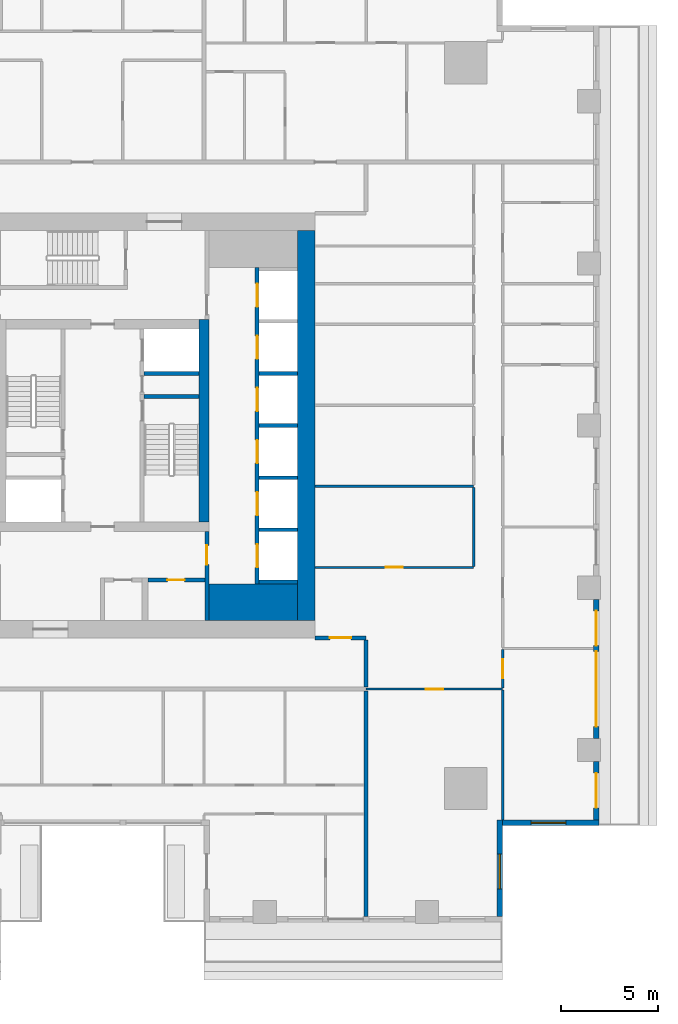
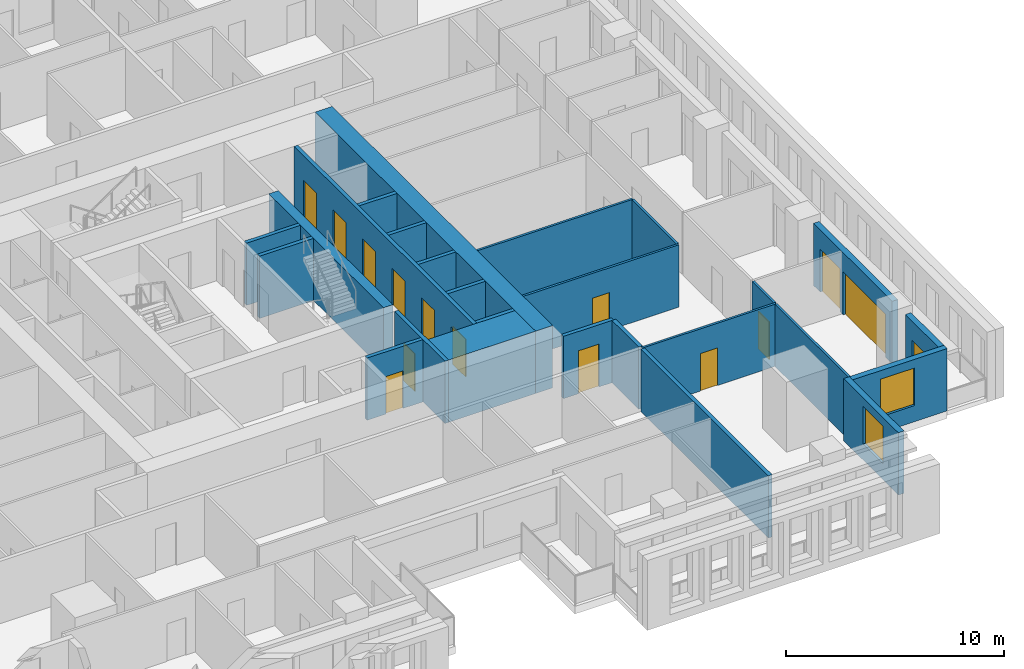
# One storey, part 5 of 15: 26 walls, 15 doors, 2 windows, 17 openings.
"""IFC4 building model written with IfcOpenShell, lengths in metres."""

from ifc_helpers import new_model, si_unit, direction, frame, frame_2d, origin, place, context, subcontext, project, spatial, rectangle, extrude, material, layer, layer_set, type_object, element, fill, save


model = new_model("IFC4")

# Units and contexts
model_context = context("Model", 3, precision=1e-05, world=origin(), true_north=direction((0.0, 1.0)))
body_context = subcontext(model_context, "Body", "Model", "MODEL_VIEW")
ifc_project = project(units=[si_unit("LENGTHUNIT", "METRE"), si_unit("AREAUNIT", "SQUARE_METRE"), si_unit("VOLUMEUNIT", "CUBIC_METRE"), si_unit("PLANEANGLEUNIT", "RADIAN"), si_unit("MASSUNIT", "GRAM", prefix="KILO")], contexts=[model_context])

# Site, building, storey
site_placement = place(None, origin())
site = spatial("IfcSite", under=ifc_project, at=site_placement, CompositionType="ELEMENT")
building_placement = place(site_placement, origin())
building = spatial("IfcBuilding", under=site, at=building_placement, Name="Khepri Terraces", CompositionType="ELEMENT")
storey_placement = place(building_placement, frame((0.0, 0.0, 248.39990234375)))
storey = spatial("IfcBuildingStorey", under=building, at=storey_placement, Name="L59", CompositionType="ELEMENT", Elevation=248.39990234375)

# Walls
ifc_material_1 = material(Name="Concrete C40/50", Category="concrete")
ifc_layer_1 = layer(ifc_material_1, 1.89990234375, Name="Concrete C40/50", Category="concrete")
ifc_layer_set_1 = layer_set([ifc_layer_1], Name="Concrete C40/50")
wall_type_1 = type_object("IfcWallType", Name="Core wall 1900 C40/50", PredefinedType="SHEAR", material=ifc_layer_set_1)
wall_1_placement = place(storey_placement, frame((5.5, -9.14990234375, 0.0), z_axis=(0.0, 0.0, 1.0), x_axis=(1.0, 0.0, 0.0)))
element("IfcWall", 1, at=wall_1_placement, inside=storey, type_object=wall_type_1, Name="Core wall PR02 L59", PredefinedType="SHEAR", context=body_context, shape_type="SweptSolid", body=[
    extrude(rectangle(XDim=4.60009765625, YDim=1.89990234375, at=frame_2d((2.300048828125, 0.0))), origin(), (0.0, 0.0, 1.0), 3.47998046875),
])
ifc_layer_2 = layer(ifc_material_1, 0.199951171875, Name="Concrete C40/50", Category="concrete")
ifc_layer_set_2 = layer_set([ifc_layer_2], Name="Concrete C40/50")
wall_type_2 = type_object("IfcWallType", Name="Core wall 200 C40/50", PredefinedType="SHEAR", material=ifc_layer_set_2)
wall_2_placement = place(storey_placement, frame((2.14990234375, 1.5, 0.0), z_axis=(0.0, 0.0, 1.0), x_axis=(1.0, 0.0, 0.0)))
element("IfcWall", 2, at=wall_2_placement, inside=storey, type_object=wall_type_2, Name="Core wall ST04 L59", PredefinedType="SHEAR", context=body_context, shape_type="SweptSolid", body=[
    extrude(rectangle(XDim=2.85009765625, YDim=0.199951171875, at=frame_2d((1.425048828125, 0.0))), origin(), (0.0, 0.0, 1.0), 3.47998046875),
])

# Wall, openings, doors
wall_3_placement = place(storey_placement, frame((8.0, -8.199951171875, 0.0), z_axis=(0.0, 0.0, 1.0), x_axis=(0.0, 1.0, 0.0)))
wall_3 = element("IfcWall", 3, at=wall_3_placement, inside=storey, type_object=wall_type_2, Name="Core wall SH02 L59", PredefinedType="SHEAR", context=body_context, shape_type="SweptSolid", body=[
    extrude(rectangle(XDim=16.39990234375, YDim=0.199951171875, at=frame_2d((8.199951171875, 0.0))), origin(), (0.0, 0.0, 1.0), 3.47998046875),
])
opening_1_placement = place(wall_3_placement, frame((0.85009765625, 0.0, 0.0)))
opening_1 = element("IfcOpeningElement", 4, at=opening_1_placement, cuts=wall_3, Name="Opening L59-C01", PredefinedType="OPENING", context=body_context, shape_type="SweptSolid", body=[
    extrude(rectangle(XDim=1.199951171875, YDim=2.10009765625, at=frame_2d((0.60009765625, 1.050048828125))), frame((0.0, 0.10986328125, 0.0), z_axis=(0.0, -1.0, 0.0), x_axis=(1.0, 0.0, 0.0)), (0.0, 0.0, 1.0), 0.219970703125),
])
opening_2_placement = place(wall_3_placement, frame((3.550048828125, 0.0, 0.0)))
opening_2 = element("IfcOpeningElement", 5, at=opening_2_placement, cuts=wall_3, Name="Opening L59-C02", PredefinedType="OPENING", context=body_context, shape_type="SweptSolid", body=[
    extrude(rectangle(XDim=1.199951171875, YDim=2.10009765625, at=frame_2d((0.60009765625, 1.050048828125))), frame((0.0, 0.10986328125, 0.0), z_axis=(0.0, -1.0, 0.0), x_axis=(1.0, 0.0, 0.0)), (0.0, 0.0, 1.0), 0.219970703125),
])
opening_3_placement = place(wall_3_placement, frame((6.25, 0.0, 0.0)))
opening_3 = element("IfcOpeningElement", 6, at=opening_3_placement, cuts=wall_3, Name="Opening L59-C03", PredefinedType="OPENING", context=body_context, shape_type="SweptSolid", body=[
    extrude(rectangle(XDim=1.199951171875, YDim=2.10009765625, at=frame_2d((0.60009765625, 1.050048828125))), frame((0.0, 0.10986328125, 0.0), z_axis=(0.0, -1.0, 0.0), x_axis=(1.0, 0.0, 0.0)), (0.0, 0.0, 1.0), 0.219970703125),
])
opening_4_placement = place(wall_3_placement, frame((8.949951171875, 0.0, 0.0)))
opening_4 = element("IfcOpeningElement", 7, at=opening_4_placement, cuts=wall_3, Name="Opening L59-C04", PredefinedType="OPENING", context=body_context, shape_type="SweptSolid", body=[
    extrude(rectangle(XDim=1.199951171875, YDim=2.10009765625, at=frame_2d((0.60009765625, 1.050048828125))), frame((0.0, 0.10986328125, 0.0), z_axis=(0.0, -1.0, 0.0), x_axis=(1.0, 0.0, 0.0)), (0.0, 0.0, 1.0), 0.219970703125),
])
opening_5_placement = place(wall_3_placement, frame((11.64990234375, 0.0, 0.0)))
opening_5 = element("IfcOpeningElement", 8, at=opening_5_placement, cuts=wall_3, Name="Opening L59-C05", PredefinedType="OPENING", context=body_context, shape_type="SweptSolid", body=[
    extrude(rectangle(XDim=1.199951171875, YDim=2.10009765625, at=frame_2d((0.60009765625, 1.050048828125))), frame((0.0, 0.10986328125, 0.0), z_axis=(0.0, -1.0, 0.0), x_axis=(1.0, 0.0, 0.0)), (0.0, 0.0, 1.0), 0.219970703125),
])
opening_6_placement = place(wall_3_placement, frame((14.35009765625, 0.0, 0.0)))
opening_6 = element("IfcOpeningElement", 9, at=opening_6_placement, cuts=wall_3, Name="Opening L59-C06", PredefinedType="OPENING", context=body_context, shape_type="SweptSolid", body=[
    extrude(rectangle(XDim=1.199951171875, YDim=2.10009765625, at=frame_2d((0.60009765625, 1.050048828125))), frame((0.0, 0.10986328125, 0.0), z_axis=(0.0, -1.0, 0.0), x_axis=(1.0, 0.0, 0.0)), (0.0, 0.0, 1.0), 0.219970703125),
])
ifc_material_2 = material(Name="Stainless steel 304", Category="steel")
door_type_1 = type_object("IfcDoorType", Name="DR-CORE-LANDING-1200", OperationType="NOTDEFINED", PredefinedType="DOOR", material=ifc_material_2)
door_1_placement = place(opening_1_placement, origin())
door_1 = element("IfcDoor", 10, at=door_1_placement, inside=storey, type_object=door_type_1, Name="Lift landing door L59-C01", OperationType="SLIDING_TO_LEFT", OverallHeight=2.10009765625, OverallWidth=1.199951171875, PredefinedType="DOOR", context=body_context, shape_type="SweptSolid", body=[
    extrude(rectangle(XDim=1.199951171875, YDim=2.10009765625, at=frame_2d((0.60009765625, 1.050048828125))), frame((0.0, 0.02490234375, 0.0), z_axis=(0.0, -1.0, 0.0), x_axis=(1.0, 0.0, 0.0)), (0.0, 0.0, 1.0), 0.050048828125),
])
fill(opening_1, door_1)
door_2_placement = place(opening_2_placement, origin())
door_2 = element("IfcDoor", 11, at=door_2_placement, inside=storey, type_object=door_type_1, Name="Lift landing door L59-C02", OperationType="SLIDING_TO_LEFT", OverallHeight=2.10009765625, OverallWidth=1.199951171875, PredefinedType="DOOR", context=body_context, shape_type="SweptSolid", body=[
    extrude(rectangle(XDim=1.199951171875, YDim=2.10009765625, at=frame_2d((0.60009765625, 1.050048828125))), frame((0.0, 0.02490234375, 0.0), z_axis=(0.0, -1.0, 0.0), x_axis=(1.0, 0.0, 0.0)), (0.0, 0.0, 1.0), 0.050048828125),
])
fill(opening_2, door_2)
door_3_placement = place(opening_3_placement, origin())
door_3 = element("IfcDoor", 12, at=door_3_placement, inside=storey, type_object=door_type_1, Name="Lift landing door L59-C03", OperationType="SLIDING_TO_LEFT", OverallHeight=2.10009765625, OverallWidth=1.199951171875, PredefinedType="DOOR", context=body_context, shape_type="SweptSolid", body=[
    extrude(rectangle(XDim=1.199951171875, YDim=2.10009765625, at=frame_2d((0.60009765625, 1.050048828125))), frame((0.0, 0.02490234375, 0.0), z_axis=(0.0, -1.0, 0.0), x_axis=(1.0, 0.0, 0.0)), (0.0, 0.0, 1.0), 0.050048828125),
])
fill(opening_3, door_3)
door_4_placement = place(opening_4_placement, origin())
door_4 = element("IfcDoor", 13, at=door_4_placement, inside=storey, type_object=door_type_1, Name="Lift landing door L59-C04", OperationType="SLIDING_TO_LEFT", OverallHeight=2.10009765625, OverallWidth=1.199951171875, PredefinedType="DOOR", context=body_context, shape_type="SweptSolid", body=[
    extrude(rectangle(XDim=1.199951171875, YDim=2.10009765625, at=frame_2d((0.60009765625, 1.050048828125))), frame((0.0, 0.02490234375, 0.0), z_axis=(0.0, -1.0, 0.0), x_axis=(1.0, 0.0, 0.0)), (0.0, 0.0, 1.0), 0.050048828125),
])
fill(opening_4, door_4)
door_5_placement = place(opening_5_placement, origin())
door_5 = element("IfcDoor", 14, at=door_5_placement, inside=storey, type_object=door_type_1, Name="Lift landing door L59-C05", OperationType="SLIDING_TO_LEFT", OverallHeight=2.10009765625, OverallWidth=1.199951171875, PredefinedType="DOOR", context=body_context, shape_type="SweptSolid", body=[
    extrude(rectangle(XDim=1.199951171875, YDim=2.10009765625, at=frame_2d((0.60009765625, 1.050048828125))), frame((0.0, 0.02490234375, 0.0), z_axis=(0.0, -1.0, 0.0), x_axis=(1.0, 0.0, 0.0)), (0.0, 0.0, 1.0), 0.050048828125),
])
fill(opening_5, door_5)
door_6_placement = place(opening_6_placement, origin())
door_6 = element("IfcDoor", 15, at=door_6_placement, inside=storey, type_object=door_type_1, Name="Lift landing door L59-C06", OperationType="SLIDING_TO_LEFT", OverallHeight=2.10009765625, OverallWidth=1.199951171875, PredefinedType="DOOR", context=body_context, shape_type="SweptSolid", body=[
    extrude(rectangle(XDim=1.199951171875, YDim=2.10009765625, at=frame_2d((0.60009765625, 1.050048828125))), frame((0.0, 0.02490234375, 0.0), z_axis=(0.0, -1.0, 0.0), x_axis=(1.0, 0.0, 0.0)), (0.0, 0.0, 1.0), 0.050048828125),
])
fill(opening_6, door_6)

# Walls
for number, where, z_axis, x_axis, name in (
    (16, (8.10009765625, -8.10009765625, 0.0), (0.0, 0.0, 1.0), (1.0, 0.0, 0.0), "Core wall SH03 L59"),
    (17, (8.10009765625, -5.39990234375, 0.0), (0.0, 0.0, 1.0), (1.0, 0.0, 0.0), "Core wall SH04 L59"),
    (18, (8.10009765625, -2.699951171875, 0.0), (0.0, 0.0, 1.0), (1.0, 0.0, 0.0), "Core wall SH08 L59"),
    (19, (8.10009765625, 0.0, 0.0), (0.0, 0.0, 1.0), (1.0, 0.0, 0.0), "Core wall SH09 L59"),
):
    element("IfcWall", number, at=place(storey_placement, frame(where, z_axis=z_axis, x_axis=x_axis)), inside=storey, type_object=wall_type_2, Name=name, PredefinedType="SHEAR", context=body_context, shape_type="SweptSolid", body=[
        extrude(rectangle(XDim=2.0, YDim=0.199951171875, at=frame_2d((1.0, 0.0))), origin(), (0.0, 0.0, 1.0), 3.47998046875),
    ])
wall_4_placement = place(storey_placement, frame((2.14990234375, 2.699951171875, 0.0), z_axis=(0.0, 0.0, 1.0), x_axis=(1.0, 0.0, 0.0)))
element("IfcWall", 20, at=wall_4_placement, inside=storey, type_object=wall_type_2, Name="Core wall SH12 L59", PredefinedType="SHEAR", context=body_context, shape_type="SweptSolid", body=[
    extrude(rectangle(XDim=2.85009765625, YDim=0.199951171875, at=frame_2d((1.425048828125, 0.0))), origin(), (0.0, 0.0, 1.0), 3.47998046875),
])
wall_5_placement = place(storey_placement, frame((8.10009765625, 2.699951171875, 0.0), z_axis=(0.0, 0.0, 1.0), x_axis=(1.0, 0.0, 0.0)))
element("IfcWall", 21, at=wall_5_placement, inside=storey, type_object=wall_type_2, Name="Core wall SH13 L59", PredefinedType="SHEAR", context=body_context, shape_type="SweptSolid", body=[
    extrude(rectangle(XDim=2.0, YDim=0.199951171875, at=frame_2d((1.0, 0.0))), origin(), (0.0, 0.0, 1.0), 3.47998046875),
])
ifc_layer_3 = layer(ifc_material_1, 0.5, Name="Concrete C40/50", Category="concrete")
ifc_layer_set_3 = layer_set([ifc_layer_3], Name="Concrete C40/50")
wall_type_3 = type_object("IfcWallType", Name="Core wall 500 C40/50", PredefinedType="SHEAR", material=ifc_layer_set_3)
wall_6_placement = place(storey_placement, frame((5.25, -5.0, 0.0), z_axis=(0.0, 0.0, 1.0), x_axis=(0.0, 1.0, 0.0)))
element("IfcWall", 22, at=wall_6_placement, inside=storey, type_object=wall_type_3, Name="Core wall BX03 L59", PredefinedType="SHEAR", context=body_context, shape_type="SweptSolid", body=[
    extrude(rectangle(XDim=10.5, YDim=0.5, at=frame_2d((5.25, 0.0))), origin(), (0.0, 0.0, 1.0), 3.47998046875),
])
ifc_layer_4 = layer(ifc_material_1, 0.89990234375, Name="Concrete C40/50", Category="concrete")
ifc_layer_set_4 = layer_set([ifc_layer_4], Name="Concrete C40/50")
wall_type_4 = type_object("IfcWallType", Name="Core wall 900 C40/50", PredefinedType="SHEAR", material=ifc_layer_set_4)
wall_7_placement = place(storey_placement, frame((10.550048828125, -10.10009765625, 0.0), z_axis=(0.0, 0.0, 1.0), x_axis=(0.0, 1.0, 0.0)))
element("IfcWall", 23, at=wall_7_placement, inside=storey, type_object=wall_type_4, Name="Core wall OW-E L59", PredefinedType="SHEAR", context=body_context, shape_type="SweptSolid", body=[
    extrude(rectangle(XDim=20.2001953125, YDim=0.89990234375, at=frame_2d((10.10009765625, 0.0))), origin(), (0.0, 0.0, 1.0), 3.47998046875),
])

# Wall, opening, door
ifc_material_3 = material(Name="Fire-rated gypsum board partition")
ifc_layer_5 = layer(ifc_material_3, 0.199951171875, Name="Fire-rated gypsum board partition")
ifc_layer_set_5 = layer_set([ifc_layer_5], Name="Fire-rated gypsum board partition")
wall_type_5 = type_object("IfcWallType", Name="WL-CORE-PART-200", PredefinedType="PARTITIONING", material=ifc_layer_set_5)
wall_8_placement = place(storey_placement, frame((5.39990234375, -10.10009765625, 0.0), z_axis=(0.0, 0.0, 1.0), x_axis=(0.0, 1.0, 0.0)))
wall_8 = element("IfcWall", 24, at=wall_8_placement, inside=storey, type_object=wall_type_5, Name="Core partition PT04 L59", PredefinedType="PARTITIONING", context=body_context, shape_type="SweptSolid", body=[
    extrude(rectangle(XDim=4.60009765625, YDim=0.199951171875, at=frame_2d((2.300048828125, 0.0))), origin(), (0.0, 0.0, 1.0), 3.47998046875),
])
opening_7_placement = place(wall_8_placement, frame((2.89990234375, 0.0, 0.0)))
opening_7 = element("IfcOpeningElement", 25, at=opening_7_placement, cuts=wall_8, Name="Opening L59-C19", PredefinedType="OPENING", context=body_context, shape_type="SweptSolid", body=[
    extrude(rectangle(XDim=1.0, YDim=2.10009765625, at=frame_2d((0.5, 1.050048828125))), frame((0.0, 0.10986328125, 0.0), z_axis=(0.0, -1.0, 0.0), x_axis=(1.0, 0.0, 0.0)), (0.0, 0.0, 1.0), 0.219970703125),
])
ifc_material_4 = material(Name="Painted steel", Category="steel")
door_type_2 = type_object("IfcDoorType", Name="DR-CORE-LOBBY-1000", OperationType="NOTDEFINED", PredefinedType="DOOR", material=ifc_material_4)
door_7_placement = place(opening_7_placement, origin())
door_7 = element("IfcDoor", 26, at=door_7_placement, inside=storey, type_object=door_type_2, Name="Lobby door L59-C19", OperationType="SINGLE_SWING_RIGHT", OverallHeight=2.10009765625, OverallWidth=1.0, PredefinedType="DOOR", context=body_context, shape_type="SweptSolid", body=[
    extrude(rectangle(XDim=1.0, YDim=2.10009765625, at=frame_2d((0.5, 1.050048828125))), frame((0.0, 0.02490234375, 0.0), z_axis=(0.0, -1.0, 0.0), x_axis=(1.0, 0.0, 0.0)), (0.0, 0.0, 1.0), 0.050048828125),
])
fill(opening_7, door_7)

wall_9_placement = place(storey_placement, frame((2.35009765625, -8.0, 0.0), z_axis=(0.0, 0.0, 1.0), x_axis=(1.0, 0.0, 0.0)))
wall_9 = element("IfcWall", 27, at=wall_9_placement, inside=storey, type_object=wall_type_5, Name="Core partition PT07 L59", PredefinedType="PARTITIONING", context=body_context, shape_type="SweptSolid", body=[
    extrude(rectangle(XDim=2.949951171875, YDim=0.199951171875, at=frame_2d((1.47509765625, 0.0))), origin(), (0.0, 0.0, 1.0), 3.47998046875),
])
opening_8_placement = place(wall_9_placement, frame((1.0, 0.0, 0.0)))
opening_8 = element("IfcOpeningElement", 28, at=opening_8_placement, cuts=wall_9, Name="Opening L59-C23", PredefinedType="OPENING", context=body_context, shape_type="SweptSolid", body=[
    extrude(rectangle(XDim=0.89990234375, YDim=2.10009765625, at=frame_2d((0.449951171875, 1.050048828125))), frame((0.0, 0.10986328125, 0.0), z_axis=(0.0, -1.0, 0.0), x_axis=(1.0, 0.0, 0.0)), (0.0, 0.0, 1.0), 0.219970703125),
])
door_type_3 = type_object("IfcDoorType", Name="DR-CORE-SERVICE-900", OperationType="NOTDEFINED", PredefinedType="DOOR", material=ifc_material_4)
door_8_placement = place(opening_8_placement, frame((0.89990234375, 0.0, 0.0), z_axis=(0.0, 0.0, 1.0), x_axis=(-1.0, 0.0, 0.0)))
door_8 = element("IfcDoor", 29, at=door_8_placement, inside=storey, type_object=door_type_3, Name="Service room door L59-C23", OperationType="SINGLE_SWING_RIGHT", OverallHeight=2.10009765625, OverallWidth=0.89990234375, PredefinedType="DOOR", context=body_context, shape_type="SweptSolid", body=[
    extrude(rectangle(XDim=0.89990234375, YDim=2.10009765625, at=frame_2d((0.449951171875, 1.050048828125))), frame((0.0, 0.02490234375, 0.0), z_axis=(0.0, -1.0, 0.0), x_axis=(1.0, 0.0, 0.0)), (0.0, 0.0, 1.0), 0.050048828125),
])
fill(opening_8, door_8)

# Walls
ifc_material_5 = material(Name="Fire-rated gypsum plasterboard partition, mineral wool")
ifc_layer_6 = layer(ifc_material_5, 0.199951171875, Name="Fire-rated gypsum plasterboard partition, mineral wool")
ifc_layer_set_6 = layer_set([ifc_layer_6], Name="Fire-rated gypsum plasterboard partition, mineral wool")
wall_type_6 = type_object("IfcWallType", Name="WL-CORR-200", PredefinedType="PARTITIONING", material=ifc_layer_set_6)
wall_10_placement = place(storey_placement, frame((13.64990234375, -25.419921875, 0.0), z_axis=(0.0, 0.0, 1.0), x_axis=(0.0, 1.0, 0.0)))
element("IfcWall", 30, at=wall_10_placement, inside=storey, type_object=wall_type_6, Name="Partition P-005 L59", PredefinedType="PARTITIONING", context=body_context, shape_type="SweptSolid", body=[
    extrude(rectangle(XDim=11.669921875, YDim=0.199951171875, at=frame_2d((5.8349609375, 0.0))), origin(), (0.0, 0.0, 1.0), 3.47998046875),
])
wall_11_placement = place(storey_placement, frame((13.64990234375, -13.550048828125, 0.0), z_axis=(0.0, 0.0, 1.0), x_axis=(0.0, 1.0, 0.0)))
element("IfcWall", 31, at=wall_11_placement, inside=storey, type_object=wall_type_6, Name="Partition P-025 L59", PredefinedType="PARTITIONING", context=body_context, shape_type="SweptSolid", body=[
    extrude(rectangle(XDim=2.449951171875, YDim=0.199951171875, at=frame_2d((1.22509765625, 0.0))), origin(), (0.0, 0.0, 1.0), 3.47998046875),
])

# Wall, opening, door
wall_12_placement = place(storey_placement, frame((11.0, -11.0, 0.0), z_axis=(0.0, 0.0, 1.0), x_axis=(1.0, 0.0, 0.0)))
wall_12 = element("IfcWall", 32, at=wall_12_placement, inside=storey, type_object=wall_type_6, Name="Partition P-031 L59", PredefinedType="PARTITIONING", context=body_context, shape_type="SweptSolid", body=[
    extrude(rectangle(XDim=2.64990234375, YDim=0.199951171875, at=frame_2d((1.324951171875, 0.0))), origin(), (0.0, 0.0, 1.0), 3.47998046875),
])
opening_9_placement = place(wall_12_placement, frame((0.77490234375, 0.0, 0.0)))
opening_9 = element("IfcOpeningElement", 33, at=opening_9_placement, cuts=wall_12, Name="Opening D1", PredefinedType="OPENING", context=body_context, shape_type="SweptSolid", body=[
    extrude(rectangle(XDim=1.10009765625, YDim=2.39990234375, at=frame_2d((0.550048828125, 1.199951171875))), frame((0.0, 0.10986328125, 0.0), z_axis=(0.0, -1.0, 0.0), x_axis=(1.0, 0.0, 0.0)), (0.0, 0.0, 1.0), 0.219970703125),
])
ifc_material_6 = material(Name="Solid-core timber door leaf, flat entrance door", Category="wood")
door_type_4 = type_object("IfcDoorType", Name="DR-ENT-1100", OperationType="NOTDEFINED", PredefinedType="DOOR", material=ifc_material_6)
door_9_placement = place(opening_9_placement, origin())
door_9 = element("IfcDoor", 34, at=door_9_placement, inside=storey, type_object=door_type_4, Name="Flat B1 entrance door", OperationType="SINGLE_SWING_LEFT", OverallHeight=2.39990234375, OverallWidth=1.10009765625, PredefinedType="DOOR", context=body_context, shape_type="SweptSolid", body=[
    extrude(rectangle(XDim=1.10009765625, YDim=2.39990234375, at=frame_2d((0.550048828125, 1.199951171875))), frame((0.0, 0.02490234375, 0.0), z_axis=(0.0, -1.0, 0.0), x_axis=(1.0, 0.0, 0.0)), (0.0, 0.0, 1.0), 0.050048828125),
])
fill(opening_9, door_9)

# Wall, opening, window
ifc_material_7 = material(Name="Precast concrete C50/60 warm stone", Category="masonry")
ifc_layer_7 = layer(ifc_material_7, 0.300048828125, Name="Precast concrete C50/60 warm stone", Category="masonry")
ifc_layer_set_7 = layer_set([ifc_layer_7], Name="Precast concrete C50/60 warm stone")
wall_type_7 = type_object("IfcWallType", Name="WL-EXT-PRECAST-300", PredefinedType="STANDARD", material=ifc_layer_set_7)
wall_13_placement = place(storey_placement, frame((20.719970703125, -20.570068359375, 0.0), z_axis=(0.0, 0.0, 1.0), x_axis=(1.0, 0.0, 0.0)))
wall_13 = element("IfcWall", 35, at=wall_13_placement, inside=storey, type_object=wall_type_7, Name="External wall L59 S", PredefinedType="STANDARD", context=body_context, shape_type="SweptSolid", body=[
    extrude(rectangle(XDim=5.0, YDim=0.300048828125, at=frame_2d((2.5, 0.0))), origin(), (0.0, 0.0, 1.0), 3.47998046875),
])
opening_10_placement = place(wall_13_placement, frame((1.47998046875, 0.0, 0.89990234375)))
opening_10 = element("IfcOpeningElement", 36, at=opening_10_placement, cuts=wall_13, Name="Opening W1", PredefinedType="OPENING", context=body_context, shape_type="SweptSolid", body=[
    extrude(rectangle(XDim=1.800048828125, YDim=2.10009765625, at=frame_2d((0.89990234375, 1.050048828125))), frame((0.0, 0.16015625, 0.0), z_axis=(0.0, -1.0, 0.0), x_axis=(1.0, 0.0, 0.0)), (0.0, 0.0, 1.0), 0.320068359375),
])
ifc_material_8 = material(Name="Clear glass", Category="glass")
window_type = type_object("IfcWindowType", Name="WIN-RES-1800x2100", PartitioningType="SINGLE_PANEL", PredefinedType="WINDOW", material=ifc_material_8)
window_1_placement = place(opening_10_placement, origin())
window_1 = element("IfcWindow", 37, at=window_1_placement, inside=storey, type_object=window_type, Name="Window L59 S", OverallHeight=2.10009765625, OverallWidth=1.800048828125, PartitioningType="SINGLE_PANEL", PredefinedType="WINDOW", context=body_context, shape_type="SweptSolid", body=[
    extrude(rectangle(XDim=1.800048828125, YDim=2.10009765625, at=frame_2d((0.89990234375, 1.050048828125))), frame((0.0, 0.030029296875, 0.0), z_axis=(0.0, -1.0, 0.0), x_axis=(1.0, 0.0, 0.0)), (0.0, 0.0, 1.0), 0.06005859375),
])
fill(opening_10, window_1)

# Wall, opening, door
wall_14_placement = place(storey_placement, frame((25.570068359375, -20.419921875, 0.0), z_axis=(0.0, 0.0, 1.0), x_axis=(0.0, 1.0, 0.0)))
wall_14 = element("IfcWall", 38, at=wall_14_placement, inside=storey, type_object=wall_type_7, Name="External wall L59 E", PredefinedType="STANDARD", context=body_context, shape_type="SweptSolid", body=[
    extrude(rectangle(XDim=3.02001953125, YDim=0.300048828125, at=frame_2d((1.510009765625, 0.0))), origin(), (0.0, 0.0, 1.0), 3.47998046875),
])
opening_11_placement = place(wall_14_placement, frame((0.6201171875, 0.0, 0.0)))
opening_11 = element("IfcOpeningElement", 39, at=opening_11_placement, cuts=wall_14, Name="Opening ED-L59-01", PredefinedType="OPENING", context=body_context, shape_type="SweptSolid", body=[
    extrude(rectangle(XDim=1.800048828125, YDim=2.39990234375, at=frame_2d((0.89990234375, 1.199951171875))), frame((0.0, 0.16015625, 0.0), z_axis=(0.0, -1.0, 0.0), x_axis=(1.0, 0.0, 0.0)), (0.0, 0.0, 1.0), 0.320068359375),
])
ifc_material_9 = material(Name="Anodised aluminium bronze glazed door", Category="aluminium")
door_type_5 = type_object("IfcDoorType", Name="DR-BAL-SLIDE-1800x2400", OperationType="NOTDEFINED", PredefinedType="DOOR", material=ifc_material_9)
door_10_placement = place(opening_11_placement, origin())
door_10 = element("IfcDoor", 40, at=door_10_placement, inside=storey, type_object=door_type_5, Name="Balcony door L59 E", OperationType="SLIDING_TO_RIGHT", OverallHeight=2.39990234375, OverallWidth=1.800048828125, PredefinedType="DOOR", context=body_context, shape_type="SweptSolid", body=[
    extrude(rectangle(XDim=1.800048828125, YDim=2.39990234375, at=frame_2d((0.89990234375, 1.199951171875))), frame((0.0, 0.02490234375, 0.0), z_axis=(0.0, -1.0, 0.0), x_axis=(1.0, 0.0, 0.0)), (0.0, 0.0, 1.0), 0.050048828125),
])
fill(opening_11, door_10)

# Wall, openings, doors
wall_15_placement = place(storey_placement, frame((25.570068359375, -16.199951171875, 0.0), z_axis=(0.0, 0.0, 1.0), x_axis=(0.0, 1.0, 0.0)))
wall_15 = element("IfcWall", 41, at=wall_15_placement, inside=storey, type_object=wall_type_7, Name="External wall L59 E", PredefinedType="STANDARD", context=body_context, shape_type="SweptSolid", body=[
    extrude(rectangle(XDim=7.199951171875, YDim=0.300048828125, at=frame_2d((3.60009765625, 0.0))), origin(), (0.0, 0.0, 1.0), 3.47998046875),
])
opening_12_placement = place(wall_15_placement, frame((0.60009765625, 0.0, 0.0)))
opening_12 = element("IfcOpeningElement", 42, at=opening_12_placement, cuts=wall_15, Name="Opening ED-L59-02", PredefinedType="OPENING", context=body_context, shape_type="SweptSolid", body=[
    extrude(rectangle(XDim=3.89990234375, YDim=2.39990234375, at=frame_2d((1.949951171875, 1.199951171875))), frame((0.0, 0.16015625, 0.0), z_axis=(0.0, -1.0, 0.0), x_axis=(1.0, 0.0, 0.0)), (0.0, 0.0, 1.0), 0.320068359375),
])
opening_13_placement = place(wall_15_placement, frame((4.800048828125, 0.0, 0.0)))
opening_13 = element("IfcOpeningElement", 43, at=opening_13_placement, cuts=wall_15, Name="Opening ED-L59-03", PredefinedType="OPENING", context=body_context, shape_type="SweptSolid", body=[
    extrude(rectangle(XDim=1.800048828125, YDim=2.39990234375, at=frame_2d((0.89990234375, 1.199951171875))), frame((0.0, 0.16015625, 0.0), z_axis=(0.0, -1.0, 0.0), x_axis=(1.0, 0.0, 0.0)), (0.0, 0.0, 1.0), 0.320068359375),
])
door_11_placement = place(opening_13_placement, origin())
door_11 = element("IfcDoor", 44, at=door_11_placement, inside=storey, type_object=door_type_5, Name="Balcony door L59 E", OperationType="SLIDING_TO_RIGHT", OverallHeight=2.39990234375, OverallWidth=1.800048828125, PredefinedType="DOOR", context=body_context, shape_type="SweptSolid", body=[
    extrude(rectangle(XDim=1.800048828125, YDim=2.39990234375, at=frame_2d((0.89990234375, 1.199951171875))), frame((0.0, 0.02490234375, 0.0), z_axis=(0.0, -1.0, 0.0), x_axis=(1.0, 0.0, 0.0)), (0.0, 0.0, 1.0), 0.050048828125),
])
fill(opening_13, door_11)
door_type_6 = type_object("IfcDoorType", Name="DR-BAL-SLIDE-3900x2400", OperationType="NOTDEFINED", PredefinedType="DOOR", material=ifc_material_9)
door_12_placement = place(opening_12_placement, origin())
door_12 = element("IfcDoor", 45, at=door_12_placement, inside=storey, type_object=door_type_6, Name="Balcony door L59 E", OperationType="SLIDING_TO_LEFT", OverallHeight=2.39990234375, OverallWidth=3.89990234375, PredefinedType="DOOR", context=body_context, shape_type="SweptSolid", body=[
    extrude(rectangle(XDim=3.89990234375, YDim=2.39990234375, at=frame_2d((1.949951171875, 1.199951171875))), frame((0.0, 0.02490234375, 0.0), z_axis=(0.0, -1.0, 0.0), x_axis=(1.0, 0.0, 0.0)), (0.0, 0.0, 1.0), 0.050048828125),
])
fill(opening_12, door_12)

# Wall, opening, window
wall_16_placement = place(storey_placement, frame((20.570068359375, -25.419921875, 0.0), z_axis=(0.0, 0.0, 1.0), x_axis=(0.0, 1.0, 0.0)))
wall_16 = element("IfcWall", 46, at=wall_16_placement, inside=storey, type_object=wall_type_7, Name="External wall L59 E", PredefinedType="STANDARD", context=body_context, shape_type="SweptSolid", body=[
    extrude(rectangle(XDim=5.0, YDim=0.300048828125, at=frame_2d((2.5, 0.0))), origin(), (0.0, 0.0, 1.0), 3.47998046875),
])
opening_14_placement = place(wall_16_placement, frame((1.419921875, 0.0, 0.89990234375)))
opening_14 = element("IfcOpeningElement", 47, at=opening_14_placement, cuts=wall_16, Name="Opening W1", PredefinedType="OPENING", context=body_context, shape_type="SweptSolid", body=[
    extrude(rectangle(XDim=1.800048828125, YDim=2.10009765625, at=frame_2d((0.89990234375, 1.050048828125))), frame((0.0, 0.16015625, 0.0), z_axis=(0.0, -1.0, 0.0), x_axis=(1.0, 0.0, 0.0)), (0.0, 0.0, 1.0), 0.320068359375),
])
window_2_placement = place(opening_14_placement, origin())
window_2 = element("IfcWindow", 48, at=window_2_placement, inside=storey, type_object=window_type, Name="Window L59 E", OverallHeight=2.10009765625, OverallWidth=1.800048828125, PartitioningType="SINGLE_PANEL", PredefinedType="WINDOW", context=body_context, shape_type="SweptSolid", body=[
    extrude(rectangle(XDim=1.800048828125, YDim=2.10009765625, at=frame_2d((0.89990234375, 1.050048828125))), frame((0.0, 0.030029296875, 0.0), z_axis=(0.0, -1.0, 0.0), x_axis=(1.0, 0.0, 0.0)), (0.0, 0.0, 1.0), 0.06005859375),
])
fill(opening_14, window_2)

# Wall
ifc_material_10 = material(Name="Gypsum plasterboard partition")
ifc_layer_8 = layer(ifc_material_10, 0.1201171875, Name="Gypsum plasterboard partition")
ifc_layer_set_8 = layer_set([ifc_layer_8], Name="Gypsum plasterboard partition")
wall_type_8 = type_object("IfcWallType", Name="WL-PART-120", PredefinedType="PARTITIONING", material=ifc_layer_set_8)
wall_17_placement = place(storey_placement, frame((20.719970703125, -20.419921875, 0.0), z_axis=(0.0, 0.0, 1.0), x_axis=(0.0, 1.0, 0.0)))
element("IfcWall", 49, at=wall_17_placement, inside=storey, type_object=wall_type_8, Name="Partition P-009 L59", PredefinedType="PARTITIONING", context=body_context, shape_type="SweptSolid", body=[
    extrude(rectangle(XDim=6.7099609375, YDim=0.1201171875, at=frame_2d((3.35498046875, 0.0))), origin(), (0.0, 0.0, 1.0), 3.47998046875),
])

# Wall, opening, door
wall_18_placement = place(storey_placement, frame((13.64990234375, -13.64990234375, 0.0), z_axis=(0.0, 0.0, 1.0), x_axis=(1.0, 0.0, 0.0)))
wall_18 = element("IfcWall", 50, at=wall_18_placement, inside=storey, type_object=wall_type_8, Name="Partition P-020 L59", PredefinedType="PARTITIONING", context=body_context, shape_type="SweptSolid", body=[
    extrude(rectangle(XDim=7.070068359375, YDim=0.1201171875, at=frame_2d((3.53515625, 0.0))), origin(), (0.0, 0.0, 1.0), 3.47998046875),
])
opening_15_placement = place(wall_18_placement, frame((3.0849609375, 0.0, 0.0)))
opening_15 = element("IfcOpeningElement", 51, at=opening_15_placement, cuts=wall_18, Name="Opening D3", PredefinedType="OPENING", context=body_context, shape_type="SweptSolid", body=[
    extrude(rectangle(XDim=0.89990234375, YDim=2.10009765625, at=frame_2d((0.449951171875, 1.050048828125))), frame((0.0, 0.070068359375, 0.0), z_axis=(0.0, -1.0, 0.0), x_axis=(1.0, 0.0, 0.0)), (0.0, 0.0, 1.0), 0.14013671875),
])
ifc_material_11 = material(Name="Timber door leaf", Category="wood")
door_type_7 = type_object("IfcDoorType", Name="DR-INT-900", OperationType="NOTDEFINED", PredefinedType="DOOR", material=ifc_material_11)
door_13_placement = place(opening_15_placement, frame((0.89990234375, 0.0, 0.0), z_axis=(0.0, 0.0, 1.0), x_axis=(-1.0, 0.0, 0.0)))
door_13 = element("IfcDoor", 52, at=door_13_placement, inside=storey, type_object=door_type_7, Name="Door Home Gym", OperationType="SINGLE_SWING_RIGHT", OverallHeight=2.10009765625, OverallWidth=0.89990234375, PredefinedType="DOOR", context=body_context, shape_type="SweptSolid", body=[
    extrude(rectangle(XDim=0.89990234375, YDim=2.10009765625, at=frame_2d((0.449951171875, 1.050048828125))), frame((0.0, 0.02490234375, 0.0), z_axis=(0.0, -1.0, 0.0), x_axis=(1.0, 0.0, 0.0)), (0.0, 0.0, 1.0), 0.050048828125),
])
fill(opening_15, door_13)

wall_19_placement = place(storey_placement, frame((20.719970703125, -13.590087890625, 0.0), z_axis=(0.0, 0.0, 1.0), x_axis=(0.0, 1.0, 0.0)))
wall_19 = element("IfcWall", 53, at=wall_19_placement, inside=storey, type_object=wall_type_8, Name="Partition P-021 L59", PredefinedType="PARTITIONING", context=body_context, shape_type="SweptSolid", body=[
    extrude(rectangle(XDim=1.97998046875, YDim=0.1201171875, at=frame_2d((0.989990234375, 0.0))), origin(), (0.0, 0.0, 1.0), 3.47998046875),
])
opening_16_placement = place(wall_19_placement, frame((0.489990234375, 0.0, 0.0)))
opening_16 = element("IfcOpeningElement", 54, at=opening_16_placement, cuts=wall_19, Name="Opening D2", PredefinedType="OPENING", context=body_context, shape_type="SweptSolid", body=[
    extrude(rectangle(XDim=1.0, YDim=2.10009765625, at=frame_2d((0.5, 1.050048828125))), frame((0.0, 0.070068359375, 0.0), z_axis=(0.0, -1.0, 0.0), x_axis=(1.0, 0.0, 0.0)), (0.0, 0.0, 1.0), 0.14013671875),
])
ifc_material_12 = material(Name="Timber door leaf, living room door", Category="wood")
door_type_8 = type_object("IfcDoorType", Name="DR-INT-1000", OperationType="NOTDEFINED", PredefinedType="DOOR", material=ifc_material_12)
door_14_placement = place(opening_16_placement, frame((1.0, 0.0, 0.0), z_axis=(0.0, 0.0, 1.0), x_axis=(-1.0, 0.0, 0.0)))
door_14 = element("IfcDoor", 55, at=door_14_placement, inside=storey, type_object=door_type_8, Name="Door Living Room", OperationType="SINGLE_SWING_RIGHT", OverallHeight=2.10009765625, OverallWidth=1.0, PredefinedType="DOOR", context=body_context, shape_type="SweptSolid", body=[
    extrude(rectangle(XDim=1.0, YDim=2.10009765625, at=frame_2d((0.5, 1.050048828125))), frame((0.0, 0.02490234375, 0.0), z_axis=(0.0, -1.0, 0.0), x_axis=(1.0, 0.0, 0.0)), (0.0, 0.0, 1.0), 0.050048828125),
])
fill(opening_16, door_14)

wall_20_placement = place(storey_placement, frame((11.0, -7.35009765625, 0.0), z_axis=(0.0, 0.0, 1.0), x_axis=(1.0, 0.0, 0.0)))
wall_20 = element("IfcWall", 56, at=wall_20_placement, inside=storey, type_object=wall_type_8, Name="Partition P-034 L59", PredefinedType="PARTITIONING", context=body_context, shape_type="SweptSolid", body=[
    extrude(rectangle(XDim=8.219970703125, YDim=0.1201171875, at=frame_2d((4.10986328125, 0.0))), origin(), (0.0, 0.0, 1.0), 3.47998046875),
])
opening_17_placement = place(wall_20_placement, frame((3.659912109375, 0.0, 0.0)))
opening_17 = element("IfcOpeningElement", 57, at=opening_17_placement, cuts=wall_20, Name="Opening D3", PredefinedType="OPENING", context=body_context, shape_type="SweptSolid", body=[
    extrude(rectangle(XDim=0.89990234375, YDim=2.10009765625, at=frame_2d((0.449951171875, 1.050048828125))), frame((0.0, 0.070068359375, 0.0), z_axis=(0.0, -1.0, 0.0), x_axis=(1.0, 0.0, 0.0)), (0.0, 0.0, 1.0), 0.14013671875),
])
door_15_placement = place(opening_17_placement, origin())
door_15 = element("IfcDoor", 58, at=door_15_placement, inside=storey, type_object=door_type_7, Name="Door Kitchen", OperationType="SINGLE_SWING_RIGHT", OverallHeight=2.10009765625, OverallWidth=0.89990234375, PredefinedType="DOOR", context=body_context, shape_type="SweptSolid", body=[
    extrude(rectangle(XDim=0.89990234375, YDim=2.10009765625, at=frame_2d((0.449951171875, 1.050048828125))), frame((0.0, 0.02490234375, 0.0), z_axis=(0.0, -1.0, 0.0), x_axis=(1.0, 0.0, 0.0)), (0.0, 0.0, 1.0), 0.050048828125),
])
fill(opening_17, door_15)

# Walls
wall_21_placement = place(storey_placement, frame((19.219970703125, -7.2900390625, 0.0), z_axis=(0.0, 0.0, 1.0), x_axis=(0.0, 1.0, 0.0)))
element("IfcWall", 59, at=wall_21_placement, inside=storey, type_object=wall_type_8, Name="Partition P-035 L59", PredefinedType="PARTITIONING", context=body_context, shape_type="SweptSolid", body=[
    extrude(rectangle(XDim=4.080078125, YDim=0.1201171875, at=frame_2d((2.0400390625, 0.0))), origin(), (0.0, 0.0, 1.0), 3.47998046875),
])
wall_22_placement = place(storey_placement, frame((11.0, -3.14990234375, 0.0), z_axis=(0.0, 0.0, 1.0), x_axis=(1.0, 0.0, 0.0)))
element("IfcWall", 60, at=wall_22_placement, inside=storey, type_object=wall_type_8, Name="Partition P-045 L59", PredefinedType="PARTITIONING", context=body_context, shape_type="SweptSolid", body=[
    extrude(rectangle(XDim=8.219970703125, YDim=0.1201171875, at=frame_2d((4.10986328125, 0.0))), origin(), (0.0, 0.0, 1.0), 3.47998046875),
])

save(model, "model.ifc")
